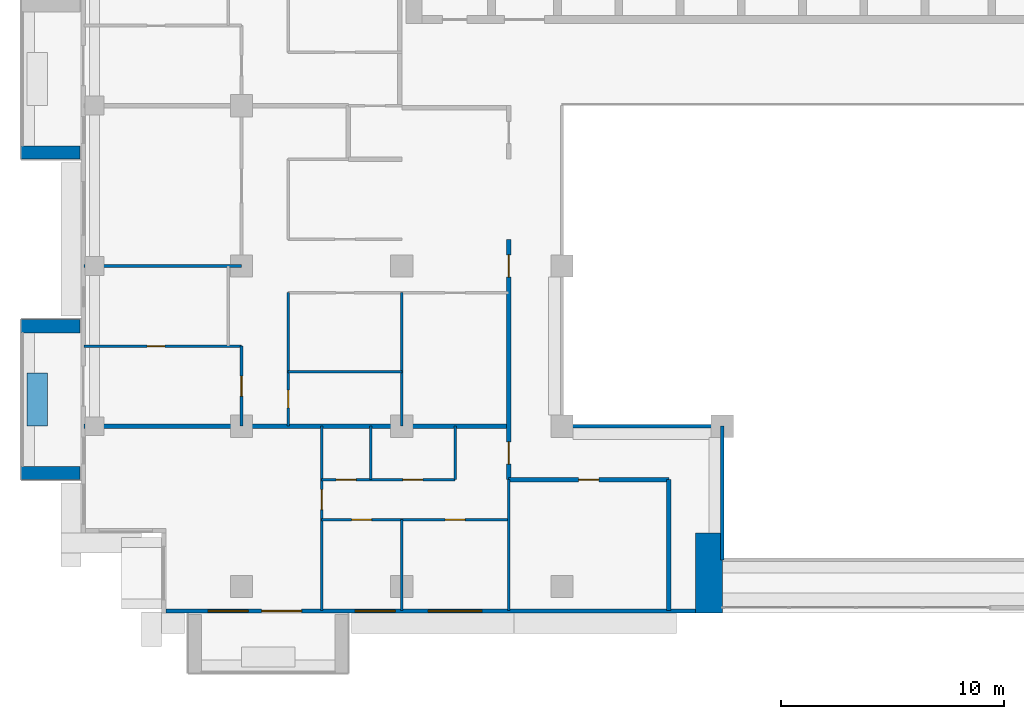
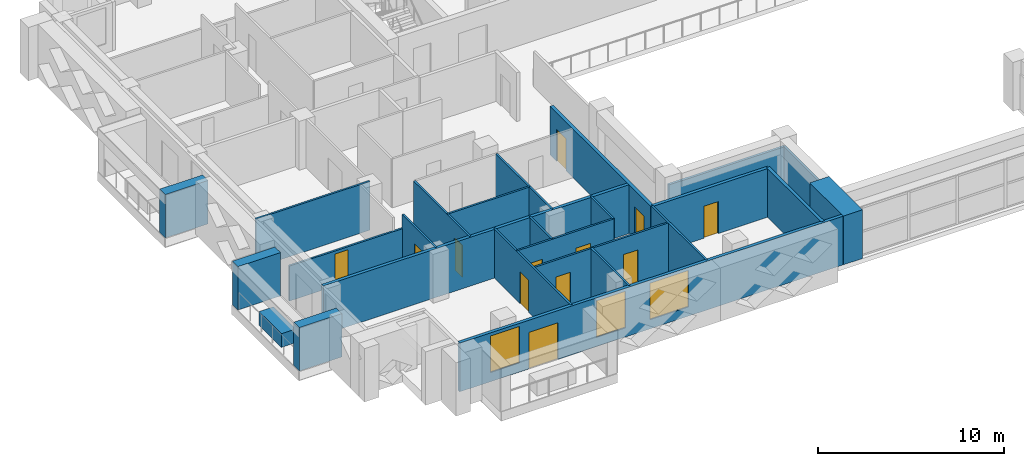
# One storey, part 6 of 20: 25 walls, 12 doors, 3 windows, 15 openings.
"""IFC4 building model written with IfcOpenShell, lengths in metres."""

from ifc_helpers import new_model, si_unit, direction, frame, frame_2d, origin, place, context, subcontext, project, spatial, rectangle, extrude, material, layer, layer_set, type_object, element, fill, save


model = new_model("IFC4")

# Units and contexts
model_context = context("Model", 3, precision=1e-05, world=origin(), true_north=direction((0.0, 1.0)))
body_context = subcontext(model_context, "Body", "Model", "MODEL_VIEW")
ifc_project = project(units=[si_unit("LENGTHUNIT", "METRE"), si_unit("AREAUNIT", "SQUARE_METRE"), si_unit("VOLUMEUNIT", "CUBIC_METRE"), si_unit("PLANEANGLEUNIT", "RADIAN"), si_unit("MASSUNIT", "GRAM", prefix="KILO")], contexts=[model_context])

# Site, building, storey
site_placement = place(None, origin())
site = spatial("IfcSite", under=ifc_project, at=site_placement, CompositionType="ELEMENT")
building_placement = place(site_placement, origin())
building = spatial("IfcBuilding", under=site, at=building_placement, Name="Saffron Iwan Residences", CompositionType="ELEMENT")
storey_placement = place(building_placement, frame((0.0, 0.0, 171.0)))
storey = spatial("IfcBuildingStorey", under=building, at=storey_placement, Name="L45", CompositionType="ELEMENT", Elevation=171.0)

# Walls
ifc_material_1 = material(Name="Fire-rated glazing", Category="glass")
ifc_layer_1 = layer(ifc_material_1, 0.14990234375)
ifc_layer_set_1 = layer_set([ifc_layer_1], Name="Fire-rated glazing")
wall_type_1 = type_object("IfcWallType", Name="Atrium glazed screen 150", PredefinedType="SOLIDWALL", material=ifc_layer_set_1)
wall_1_placement = place(storey_placement, frame((36.0, 48.0, 0.0), z_axis=(0.0, 0.0, 1.0), x_axis=(1.0, 0.0, 0.0)))
element("IfcWall", 1, at=wall_1_placement, inside=storey, type_object=wall_type_1, Name="W-L45-SCREEN-h48-36", PredefinedType="SOLIDWALL", context=body_context, shape_type="SweptSolid", body=[
    extrude(rectangle(XDim=7.199951171875, YDim=0.14990234375, at=frame_2d((3.60009765625, 0.0))), origin(), (0.0, 0.0, 1.0), 2.300048828125),
])
wall_2_placement = place(storey_placement, frame((43.199951171875, 42.0, 0.0), z_axis=(0.0, 0.0, 1.0), x_axis=(0.0, 1.0, 0.0)))
element("IfcWall", 2, at=wall_2_placement, inside=storey, type_object=wall_type_1, Name="W-L45-SCREEN-v43.2-42", PredefinedType="SOLIDWALL", context=body_context, shape_type="SweptSolid", body=[
    extrude(rectangle(XDim=6.0, YDim=0.14990234375, at=frame_2d((3.0, 0.0))), origin(), (0.0, 0.0, 1.0), 2.300048828125),
])
ifc_material_2 = material(Name="Concrete C50/60 white painted", Category="concrete")
ifc_layer_2 = layer(ifc_material_2, 0.60009765625)
ifc_layer_set_2 = layer_set([ifc_layer_2], Name="Concrete C50/60 white painted")
wall_type_2 = type_object("IfcWallType", Name="BALCONY FIN 600", PredefinedType="SOLIDWALL", material=ifc_layer_set_2)
for number, where, z_axis, x_axis, name in (
    (3, (14.35009765625, 60.300048828125, 0.0), (0.0, 0.0, 1.0), (-1.0, 0.0, 0.0), "Balcony fin L45 F8-0b"),
    (4, (14.35009765625, 52.5, 0.0), (0.0, 0.0, 1.0), (-1.0, 0.0, 0.0), "Balcony fin L45 F8-1a"),
    (5, (14.35009765625, 45.89990234375, 0.0), (0.0, 0.0, 1.0), (-1.0, 0.0, 0.0), "Balcony fin L45 F8-1b"),
):
    element("IfcWall", number, at=place(storey_placement, frame(where, z_axis=z_axis, x_axis=x_axis)), inside=storey, type_object=wall_type_2, Name=name, PredefinedType="SOLIDWALL", context=body_context, shape_type="SweptSolid", body=[
        extrude(rectangle(XDim=2.650146484375, YDim=0.60009765625, at=frame_2d((1.3251953125, 0.0))), origin(), (0.0, 0.0, 1.0), 2.85009765625),
    ])
ifc_material_3 = material(Name="Concrete C35/45 white painted", Category="concrete")
ifc_layer_3 = layer(ifc_material_3, 0.14990234375)
ifc_layer_set_3 = layer_set([ifc_layer_3], Name="Concrete C35/45 white painted")
wall_type_3 = type_object("IfcWallType", Name="BALCONY PLANTER", PredefinedType="SOLIDWALL", material=ifc_layer_set_3)
wall_3_placement = place(storey_placement, frame((12.425048828125, 50.39990234375, 0.0), z_axis=(0.0, 0.0, 1.0), x_axis=(0.0, -1.0, 0.0)))
element("IfcWall", 6, at=wall_3_placement, inside=storey, type_object=wall_type_3, Name="PLANTER L45 F8-1", PredefinedType="SOLIDWALL", context=body_context, shape_type="SweptSolid", body=[
    extrude(rectangle(XDim=2.39990234375, YDim=0.89990234375, at=frame_2d((1.199951171875, 0.0))), origin(), (0.0, 0.0, 1.0), 0.89990234375),
])

# Wall, openings, door, windows
ifc_material_4 = material(Name="Concrete C40/50", Category="concrete")
ifc_layer_4 = layer(ifc_material_4, 0.199951171875)
ifc_layer_set_4 = layer_set([ifc_layer_4], Name="Concrete C40/50")
wall_type_4 = type_object("IfcWallType", Name="EXTERNAL WALL 200", PredefinedType="SOLIDWALL", material=ifc_layer_set_4)
wall_4_placement = place(storey_placement, frame((18.199951171875, 39.699951171875, 0.0), z_axis=(0.0, 0.0, 1.0), x_axis=(1.0, 0.0, 0.0)))
wall_4 = element("IfcWall", 7, at=wall_4_placement, inside=storey, type_object=wall_type_4, Name="External wall L45 F11.0", PredefinedType="SOLIDWALL", context=body_context, shape_type="SweptSolid", body=[
    extrude(rectangle(XDim=23.800048828125, YDim=0.199951171875, at=frame_2d((11.89990234375, 0.0))), origin(), (0.0, 0.0, 1.0), 3.199951171875),
])
opening_1_placement = place(wall_4_placement, frame((4.300048828125, 0.0, 0.0)))
opening_1 = element("IfcOpeningElement", 8, at=opening_1_placement, cuts=wall_4, Name="Opening BD1", PredefinedType="OPENING", context=body_context, shape_type="SweptSolid", body=[
    extrude(rectangle(XDim=1.800048828125, YDim=2.39990234375, at=frame_2d((0.89990234375, 1.199951171875))), frame((0.0, 0.10986328125, 0.0), z_axis=(0.0, -1.0, 0.0), x_axis=(1.0, 0.0, 0.0)), (0.0, 0.0, 1.0), 0.219970703125),
])
opening_2_placement = place(wall_4_placement, frame((1.89990234375, 0.0, 0.60009765625)))
opening_2 = element("IfcOpeningElement", 9, at=opening_2_placement, cuts=wall_4, Name="Opening W8", PredefinedType="OPENING", context=body_context, shape_type="SweptSolid", body=[
    extrude(rectangle(XDim=1.800048828125, YDim=2.39990234375, at=frame_2d((0.89990234375, 1.199951171875))), frame((0.0, 0.10986328125, 0.0), z_axis=(0.0, -1.0, 0.0), x_axis=(1.0, 0.0, 0.0)), (0.0, 0.0, 1.0), 0.219970703125),
])
opening_3_placement = place(wall_4_placement, frame((8.5, 0.0, 0.60009765625)))
opening_3 = element("IfcOpeningElement", 10, at=opening_3_placement, cuts=wall_4, Name="Opening W8", PredefinedType="OPENING", context=body_context, shape_type="SweptSolid", body=[
    extrude(rectangle(XDim=1.800048828125, YDim=2.39990234375, at=frame_2d((0.89990234375, 1.199951171875))), frame((0.0, 0.10986328125, 0.0), z_axis=(0.0, -1.0, 0.0), x_axis=(1.0, 0.0, 0.0)), (0.0, 0.0, 1.0), 0.219970703125),
])
opening_4_placement = place(wall_4_placement, frame((11.800048828125, 0.0, 0.60009765625)))
opening_4 = element("IfcOpeningElement", 11, at=opening_4_placement, cuts=wall_4, Name="Opening W1", PredefinedType="OPENING", context=body_context, shape_type="SweptSolid", body=[
    extrude(rectangle(XDim=2.39990234375, YDim=2.39990234375, at=frame_2d((1.199951171875, 1.199951171875))), frame((0.0, 0.10986328125, 0.0), z_axis=(0.0, -1.0, 0.0), x_axis=(1.0, 0.0, 0.0)), (0.0, 0.0, 1.0), 0.219970703125),
])
ifc_material_5 = material(Name="Clear glass, laminated double glazed", Category="glass")
door_type_1 = type_object("IfcDoorType", Name="BALCONY DOOR 1800 x 2400", OperationType="DOUBLE_DOOR_SLIDING", PredefinedType="DOOR", material=ifc_material_5)
door_1_placement = place(opening_1_placement, origin())
door_1 = element("IfcDoor", 12, at=door_1_placement, inside=storey, type_object=door_type_1, Name="Balcony door L45 F11.0", OperationType="DOUBLE_DOOR_SLIDING", OverallHeight=2.39990234375, OverallWidth=1.800048828125, PredefinedType="DOOR", context=body_context, shape_type="SweptSolid", body=[
    extrude(rectangle(XDim=1.800048828125, YDim=2.39990234375, at=frame_2d((0.89990234375, 1.199951171875))), frame((0.0, 0.02490234375, 0.0), z_axis=(0.0, -1.0, 0.0), x_axis=(1.0, 0.0, 0.0)), (0.0, 0.0, 1.0), 0.050048828125),
])
fill(opening_1, door_1)
window_type_1 = type_object("IfcWindowType", Name="WINDOW 1800 x 2400", PartitioningType="DOUBLE_PANEL_VERTICAL", PredefinedType="WINDOW", material=ifc_material_5)
window_1_placement = place(opening_2_placement, origin())
window_1 = element("IfcWindow", 13, at=window_1_placement, inside=storey, type_object=window_type_1, Name="Window L45 F11.1", OverallHeight=2.39990234375, OverallWidth=1.800048828125, PartitioningType="DOUBLE_PANEL_VERTICAL", PredefinedType="WINDOW", context=body_context, shape_type="SweptSolid", body=[
    extrude(rectangle(XDim=1.800048828125, YDim=2.39990234375, at=frame_2d((0.89990234375, 1.199951171875))), frame((0.0, 0.030029296875, 0.0), z_axis=(0.0, -1.0, 0.0), x_axis=(1.0, 0.0, 0.0)), (0.0, 0.0, 1.0), 0.06005859375),
])
fill(opening_2, window_1)
window_2_placement = place(opening_3_placement, origin())
window_2 = element("IfcWindow", 14, at=window_2_placement, inside=storey, type_object=window_type_1, Name="Window L45 F11.2", OverallHeight=2.39990234375, OverallWidth=1.800048828125, PartitioningType="DOUBLE_PANEL_VERTICAL", PredefinedType="WINDOW", context=body_context, shape_type="SweptSolid", body=[
    extrude(rectangle(XDim=1.800048828125, YDim=2.39990234375, at=frame_2d((0.89990234375, 1.199951171875))), frame((0.0, 0.030029296875, 0.0), z_axis=(0.0, -1.0, 0.0), x_axis=(1.0, 0.0, 0.0)), (0.0, 0.0, 1.0), 0.06005859375),
])
fill(opening_3, window_2)
window_type_2 = type_object("IfcWindowType", Name="WINDOW 2400 x 2400", PartitioningType="DOUBLE_PANEL_VERTICAL", PredefinedType="WINDOW", material=ifc_material_5)
window_3_placement = place(opening_4_placement, origin())
window_3 = element("IfcWindow", 15, at=window_3_placement, inside=storey, type_object=window_type_2, Name="Window L45 F11.3", OverallHeight=2.39990234375, OverallWidth=2.39990234375, PartitioningType="DOUBLE_PANEL_VERTICAL", PredefinedType="WINDOW", context=body_context, shape_type="SweptSolid", body=[
    extrude(rectangle(XDim=2.39990234375, YDim=2.39990234375, at=frame_2d((1.199951171875, 1.199951171875))), frame((0.0, 0.030029296875, 0.0), z_axis=(0.0, -1.0, 0.0), x_axis=(1.0, 0.0, 0.0)), (0.0, 0.0, 1.0), 0.06005859375),
])
fill(opening_4, window_3)

# Wall
ifc_material_6 = material(Name="Fire-rated gypsum board wall")
ifc_layer_5 = layer(ifc_material_6, 0.199951171875)
ifc_layer_set_5 = layer_set([ifc_layer_5], Name="Fire-rated gypsum board wall")
wall_type_5 = type_object("IfcWallType", Name="Flat demising wall 200", PredefinedType="SOLIDWALL", material=ifc_layer_set_5)
wall_5_placement = place(storey_placement, frame((14.52490234375, 48.0, 0.0), z_axis=(0.0, 0.0, 1.0), x_axis=(1.0, 0.0, 0.0)))
element("IfcWall", 16, at=wall_5_placement, inside=storey, type_object=wall_type_5, Name="W-L45-DEMISE-h48-14.525", PredefinedType="SOLIDWALL", context=body_context, shape_type="SweptSolid", body=[
    extrude(rectangle(XDim=19.0751953125, YDim=0.199951171875, at=frame_2d((9.53759765625, 0.0))), origin(), (0.0, 0.0, 1.0), 3.199951171875),
])

# Wall, openings, doors
ifc_material_7 = material(Name="Gypsum board partition")
ifc_layer_6 = layer(ifc_material_7, 0.1201171875)
ifc_layer_set_6 = layer_set([ifc_layer_6], Name="Gypsum board partition")
wall_type_6 = type_object("IfcWallType", Name="Flat partition 120", PredefinedType="PARTITIONING", material=ifc_layer_set_6)
wall_6_placement = place(storey_placement, frame((25.199951171875, 43.800048828125, 0.0), z_axis=(0.0, 0.0, 1.0), x_axis=(1.0, 0.0, 0.0)))
wall_6 = element("IfcWall", 17, at=wall_6_placement, inside=storey, type_object=wall_type_6, Name="W-L45-PART-h43.8-25.2", PredefinedType="PARTITIONING", context=body_context, shape_type="SweptSolid", body=[
    extrude(rectangle(XDim=8.400146484375, YDim=0.1201171875, at=frame_2d((4.2001953125, 0.0))), origin(), (0.0, 0.0, 1.0), 3.199951171875),
])
opening_5_placement = place(wall_6_placement, frame((1.35009765625, 0.0, 0.0)))
opening_5 = element("IfcOpeningElement", 18, at=opening_5_placement, cuts=wall_6, Name="Opening FD2", PredefinedType="OPENING", context=body_context, shape_type="SweptSolid", body=[
    extrude(rectangle(XDim=0.89990234375, YDim=2.10009765625, at=frame_2d((0.449951171875, 1.050048828125))), frame((0.0, 0.070068359375, 0.0), z_axis=(0.0, -1.0, 0.0), x_axis=(1.0, 0.0, 0.0)), (0.0, 0.0, 1.0), 0.14013671875),
])
opening_6_placement = place(wall_6_placement, frame((5.550048828125, 0.0, 0.0)))
opening_6 = element("IfcOpeningElement", 19, at=opening_6_placement, cuts=wall_6, Name="Opening FD2", PredefinedType="OPENING", context=body_context, shape_type="SweptSolid", body=[
    extrude(rectangle(XDim=0.89990234375, YDim=2.10009765625, at=frame_2d((0.449951171875, 1.050048828125))), frame((0.0, 0.070068359375, 0.0), z_axis=(0.0, -1.0, 0.0), x_axis=(1.0, 0.0, 0.0)), (0.0, 0.0, 1.0), 0.14013671875),
])
ifc_material_8 = material(Name="Timber door", Category="wood")
door_type_2 = type_object("IfcDoorType", Name="Flat door 900", OperationType="NOTDEFINED", PredefinedType="DOOR", material=ifc_material_8)
door_2_placement = place(opening_5_placement, origin())
door_2 = element("IfcDoor", 20, at=door_2_placement, inside=storey, type_object=door_type_2, Name="Door L45-003", OperationType="SINGLE_SWING_LEFT", OverallHeight=2.10009765625, OverallWidth=0.89990234375, PredefinedType="DOOR", context=body_context, shape_type="SweptSolid", body=[
    extrude(rectangle(XDim=0.89990234375, YDim=2.10009765625, at=frame_2d((0.449951171875, 1.050048828125))), frame((0.0, 0.02490234375, 0.0), z_axis=(0.0, -1.0, 0.0), x_axis=(1.0, 0.0, 0.0)), (0.0, 0.0, 1.0), 0.050048828125),
])
fill(opening_5, door_2)
door_3_placement = place(opening_6_placement, origin())
door_3 = element("IfcDoor", 21, at=door_3_placement, inside=storey, type_object=door_type_2, Name="Door L45-004", OperationType="SINGLE_SWING_RIGHT", OverallHeight=2.10009765625, OverallWidth=0.89990234375, PredefinedType="DOOR", context=body_context, shape_type="SweptSolid", body=[
    extrude(rectangle(XDim=0.89990234375, YDim=2.10009765625, at=frame_2d((0.449951171875, 1.050048828125))), frame((0.0, 0.02490234375, 0.0), z_axis=(0.0, -1.0, 0.0), x_axis=(1.0, 0.0, 0.0)), (0.0, 0.0, 1.0), 0.050048828125),
])
fill(opening_6, door_3)

wall_7_placement = place(storey_placement, frame((25.199951171875, 45.60009765625, 0.0), z_axis=(0.0, 0.0, 1.0), x_axis=(1.0, 0.0, 0.0)))
wall_7 = element("IfcWall", 22, at=wall_7_placement, inside=storey, type_object=wall_type_6, Name="W-L45-PART-h45.6-25.2", PredefinedType="PARTITIONING", context=body_context, shape_type="SweptSolid", body=[
    extrude(rectangle(XDim=6.0, YDim=0.1201171875, at=frame_2d((3.0, 0.0))), origin(), (0.0, 0.0, 1.0), 3.199951171875),
])
opening_7_placement = place(wall_7_placement, frame((0.64990234375, 0.0, 0.0)))
opening_7 = element("IfcOpeningElement", 23, at=opening_7_placement, cuts=wall_7, Name="Opening FD2", PredefinedType="OPENING", context=body_context, shape_type="SweptSolid", body=[
    extrude(rectangle(XDim=0.89990234375, YDim=2.10009765625, at=frame_2d((0.449951171875, 1.050048828125))), frame((0.0, 0.070068359375, 0.0), z_axis=(0.0, -1.0, 0.0), x_axis=(1.0, 0.0, 0.0)), (0.0, 0.0, 1.0), 0.14013671875),
])
opening_8_placement = place(wall_7_placement, frame((3.64990234375, 0.0, 0.0)))
opening_8 = element("IfcOpeningElement", 24, at=opening_8_placement, cuts=wall_7, Name="Opening FD2", PredefinedType="OPENING", context=body_context, shape_type="SweptSolid", body=[
    extrude(rectangle(XDim=0.89990234375, YDim=2.10009765625, at=frame_2d((0.449951171875, 1.050048828125))), frame((0.0, 0.070068359375, 0.0), z_axis=(0.0, -1.0, 0.0), x_axis=(1.0, 0.0, 0.0)), (0.0, 0.0, 1.0), 0.14013671875),
])
door_4_placement = place(opening_7_placement, origin())
door_4 = element("IfcDoor", 25, at=door_4_placement, inside=storey, type_object=door_type_2, Name="Door L45-005", OperationType="SINGLE_SWING_LEFT", OverallHeight=2.10009765625, OverallWidth=0.89990234375, PredefinedType="DOOR", context=body_context, shape_type="SweptSolid", body=[
    extrude(rectangle(XDim=0.89990234375, YDim=2.10009765625, at=frame_2d((0.449951171875, 1.050048828125))), frame((0.0, 0.02490234375, 0.0), z_axis=(0.0, -1.0, 0.0), x_axis=(1.0, 0.0, 0.0)), (0.0, 0.0, 1.0), 0.050048828125),
])
fill(opening_7, door_4)
door_5_placement = place(opening_8_placement, origin())
door_5 = element("IfcDoor", 26, at=door_5_placement, inside=storey, type_object=door_type_2, Name="Door L45-006", OperationType="SINGLE_SWING_LEFT", OverallHeight=2.10009765625, OverallWidth=0.89990234375, PredefinedType="DOOR", context=body_context, shape_type="SweptSolid", body=[
    extrude(rectangle(XDim=0.89990234375, YDim=2.10009765625, at=frame_2d((0.449951171875, 1.050048828125))), frame((0.0, 0.02490234375, 0.0), z_axis=(0.0, -1.0, 0.0), x_axis=(1.0, 0.0, 0.0)), (0.0, 0.0, 1.0), 0.050048828125),
])
fill(opening_8, door_5)

# Wall
wall_8_placement = place(storey_placement, frame((23.699951171875, 50.449951171875, 0.0), z_axis=(0.0, 0.0, 1.0), x_axis=(1.0, 0.0, 0.0)))
element("IfcWall", 27, at=wall_8_placement, inside=storey, type_object=wall_type_6, Name="W-L45-PART-h50.45-23.7", PredefinedType="PARTITIONING", context=body_context, shape_type="SweptSolid", body=[
    extrude(rectangle(XDim=5.10009765625, YDim=0.1201171875, at=frame_2d((2.550048828125, 0.0))), origin(), (0.0, 0.0, 1.0), 3.199951171875),
])

# Wall, opening, door
wall_9_placement = place(storey_placement, frame((14.52490234375, 51.60009765625, 0.0), z_axis=(0.0, 0.0, 1.0), x_axis=(1.0, 0.0, 0.0)))
wall_9 = element("IfcWall", 28, at=wall_9_placement, inside=storey, type_object=wall_type_6, Name="W-L45-PART-h51.6-14.525", PredefinedType="PARTITIONING", context=body_context, shape_type="SweptSolid", body=[
    extrude(rectangle(XDim=7.0751953125, YDim=0.1201171875, at=frame_2d((3.53759765625, 0.0))), origin(), (0.0, 0.0, 1.0), 2.300048828125),
])
opening_9_placement = place(wall_9_placement, frame((2.83740234375, 0.0, 0.0)))
opening_9 = element("IfcOpeningElement", 29, at=opening_9_placement, cuts=wall_9, Name="Opening FD3", PredefinedType="OPENING", context=body_context, shape_type="SweptSolid", body=[
    extrude(rectangle(XDim=0.800048828125, YDim=2.10009765625, at=frame_2d((0.39990234375, 1.050048828125))), frame((0.0, 0.070068359375, 0.0), z_axis=(0.0, -1.0, 0.0), x_axis=(1.0, 0.0, 0.0)), (0.0, 0.0, 1.0), 0.14013671875),
])
door_type_3 = type_object("IfcDoorType", Name="Bathroom door 800", OperationType="NOTDEFINED", PredefinedType="DOOR", material=ifc_material_8)
door_6_placement = place(opening_9_placement, origin())
door_6 = element("IfcDoor", 30, at=door_6_placement, inside=storey, type_object=door_type_3, Name="Door L45-010", OperationType="SINGLE_SWING_RIGHT", OverallHeight=2.10009765625, OverallWidth=0.800048828125, PredefinedType="DOOR", context=body_context, shape_type="SweptSolid", body=[
    extrude(rectangle(XDim=0.800048828125, YDim=2.10009765625, at=frame_2d((0.39990234375, 1.050048828125))), frame((0.0, 0.02490234375, 0.0), z_axis=(0.0, -1.0, 0.0), x_axis=(1.0, 0.0, 0.0)), (0.0, 0.0, 1.0), 0.050048828125),
])
fill(opening_9, door_6)

# Wall
wall_10_placement = place(storey_placement, frame((14.52490234375, 55.199951171875, 0.0), z_axis=(0.0, 0.0, 1.0), x_axis=(1.0, 0.0, 0.0)))
element("IfcWall", 31, at=wall_10_placement, inside=storey, type_object=wall_type_6, Name="W-L45-PART-h55.2-14.525", PredefinedType="PARTITIONING", context=body_context, shape_type="SweptSolid", body=[
    extrude(rectangle(XDim=7.0751953125, YDim=0.1201171875, at=frame_2d((3.53759765625, 0.0))), origin(), (0.0, 0.0, 1.0), 3.199951171875),
])

# Wall, opening, door
wall_11_placement = place(storey_placement, frame((21.60009765625, 48.0, 0.0), z_axis=(0.0, 0.0, 1.0), x_axis=(0.0, 1.0, 0.0)))
wall_11 = element("IfcWall", 32, at=wall_11_placement, inside=storey, type_object=wall_type_6, Name="W-L45-PART-v21.6-48", PredefinedType="PARTITIONING", context=body_context, shape_type="SweptSolid", body=[
    extrude(rectangle(XDim=3.60009765625, YDim=0.1201171875, at=frame_2d((1.800048828125, 0.0))), origin(), (0.0, 0.0, 1.0), 3.199951171875),
])
opening_10_placement = place(wall_11_placement, frame((1.35009765625, 0.0, 0.0)))
opening_10 = element("IfcOpeningElement", 33, at=opening_10_placement, cuts=wall_11, Name="Opening FD2", PredefinedType="OPENING", context=body_context, shape_type="SweptSolid", body=[
    extrude(rectangle(XDim=0.89990234375, YDim=2.10009765625, at=frame_2d((0.449951171875, 1.050048828125))), frame((0.0, 0.070068359375, 0.0), z_axis=(0.0, -1.0, 0.0), x_axis=(1.0, 0.0, 0.0)), (0.0, 0.0, 1.0), 0.14013671875),
])
door_7_placement = place(opening_10_placement, origin())
door_7 = element("IfcDoor", 34, at=door_7_placement, inside=storey, type_object=door_type_2, Name="Door L45-009", OperationType="SINGLE_SWING_LEFT", OverallHeight=2.10009765625, OverallWidth=0.89990234375, PredefinedType="DOOR", context=body_context, shape_type="SweptSolid", body=[
    extrude(rectangle(XDim=0.89990234375, YDim=2.10009765625, at=frame_2d((0.449951171875, 1.050048828125))), frame((0.0, 0.02490234375, 0.0), z_axis=(0.0, -1.0, 0.0), x_axis=(1.0, 0.0, 0.0)), (0.0, 0.0, 1.0), 0.050048828125),
])
fill(opening_10, door_7)

wall_12_placement = place(storey_placement, frame((23.699951171875, 48.0, 0.0), z_axis=(0.0, 0.0, 1.0), x_axis=(0.0, 1.0, 0.0)))
wall_12 = element("IfcWall", 35, at=wall_12_placement, inside=storey, type_object=wall_type_6, Name="W-L45-PART-v23.7-48", PredefinedType="PARTITIONING", context=body_context, shape_type="SweptSolid", body=[
    extrude(rectangle(XDim=6.0, YDim=0.1201171875, at=frame_2d((3.0, 0.0))), origin(), (0.0, 0.0, 1.0), 3.199951171875),
])
opening_11_placement = place(wall_12_placement, frame((0.824951171875, 0.0, 0.0)))
opening_11 = element("IfcOpeningElement", 36, at=opening_11_placement, cuts=wall_12, Name="Opening FD3", PredefinedType="OPENING", context=body_context, shape_type="SweptSolid", body=[
    extrude(rectangle(XDim=0.800048828125, YDim=2.10009765625, at=frame_2d((0.39990234375, 1.050048828125))), frame((0.0, 0.070068359375, 0.0), z_axis=(0.0, -1.0, 0.0), x_axis=(1.0, 0.0, 0.0)), (0.0, 0.0, 1.0), 0.14013671875),
])
door_8_placement = place(opening_11_placement, origin())
door_8 = element("IfcDoor", 37, at=door_8_placement, inside=storey, type_object=door_type_3, Name="Door L45-012", OperationType="SINGLE_SWING_LEFT", OverallHeight=2.10009765625, OverallWidth=0.800048828125, PredefinedType="DOOR", context=body_context, shape_type="SweptSolid", body=[
    extrude(rectangle(XDim=0.800048828125, YDim=2.10009765625, at=frame_2d((0.39990234375, 1.050048828125))), frame((0.0, 0.02490234375, 0.0), z_axis=(0.0, -1.0, 0.0), x_axis=(1.0, 0.0, 0.0)), (0.0, 0.0, 1.0), 0.050048828125),
])
fill(opening_11, door_8)

wall_13_placement = place(storey_placement, frame((25.199951171875, 39.72509765625, 0.0), z_axis=(0.0, 0.0, 1.0), x_axis=(0.0, 1.0, 0.0)))
wall_13 = element("IfcWall", 38, at=wall_13_placement, inside=storey, type_object=wall_type_6, Name="W-L45-PART-v25.2-39.725", PredefinedType="PARTITIONING", context=body_context, shape_type="SweptSolid", body=[
    extrude(rectangle(XDim=8.27490234375, YDim=0.1201171875, at=frame_2d((4.137451171875, 0.0))), origin(), (0.0, 0.0, 1.0), 3.199951171875),
])
opening_12_placement = place(wall_13_placement, frame((4.52490234375, 0.0, 0.0)))
opening_12 = element("IfcOpeningElement", 39, at=opening_12_placement, cuts=wall_13, Name="Opening FD2", PredefinedType="OPENING", context=body_context, shape_type="SweptSolid", body=[
    extrude(rectangle(XDim=0.89990234375, YDim=2.10009765625, at=frame_2d((0.449951171875, 1.050048828125))), frame((0.0, 0.070068359375, 0.0), z_axis=(0.0, -1.0, 0.0), x_axis=(1.0, 0.0, 0.0)), (0.0, 0.0, 1.0), 0.14013671875),
])
door_9_placement = place(opening_12_placement, origin())
door_9 = element("IfcDoor", 40, at=door_9_placement, inside=storey, type_object=door_type_2, Name="Door L45-002", OperationType="SINGLE_SWING_LEFT", OverallHeight=2.10009765625, OverallWidth=0.89990234375, PredefinedType="DOOR", context=body_context, shape_type="SweptSolid", body=[
    extrude(rectangle(XDim=0.89990234375, YDim=2.10009765625, at=frame_2d((0.449951171875, 1.050048828125))), frame((0.0, 0.02490234375, 0.0), z_axis=(0.0, -1.0, 0.0), x_axis=(1.0, 0.0, 0.0)), (0.0, 0.0, 1.0), 0.050048828125),
])
fill(opening_12, door_9)

# Walls
wall_14_placement = place(storey_placement, frame((27.39990234375, 45.60009765625, 0.0), z_axis=(0.0, 0.0, 1.0), x_axis=(0.0, 1.0, 0.0)))
element("IfcWall", 41, at=wall_14_placement, inside=storey, type_object=wall_type_6, Name="W-L45-PART-v27.4-45.6", PredefinedType="PARTITIONING", context=body_context, shape_type="SweptSolid", body=[
    extrude(rectangle(XDim=2.39990234375, YDim=0.1201171875, at=frame_2d((1.199951171875, 0.0))), origin(), (0.0, 0.0, 1.0), 3.199951171875),
])
wall_15_placement = place(storey_placement, frame((28.800048828125, 39.72509765625, 0.0), z_axis=(0.0, 0.0, 1.0), x_axis=(0.0, 1.0, 0.0)))
element("IfcWall", 42, at=wall_15_placement, inside=storey, type_object=wall_type_6, Name="W-L45-PART-v28.8-39.725", PredefinedType="PARTITIONING", context=body_context, shape_type="SweptSolid", body=[
    extrude(rectangle(XDim=4.074951171875, YDim=0.1201171875, at=frame_2d((2.03759765625, 0.0))), origin(), (0.0, 0.0, 1.0), 3.199951171875),
])
wall_16_placement = place(storey_placement, frame((28.800048828125, 48.0, 0.0), z_axis=(0.0, 0.0, 1.0), x_axis=(0.0, 1.0, 0.0)))
element("IfcWall", 43, at=wall_16_placement, inside=storey, type_object=wall_type_6, Name="W-L45-PART-v28.8-48", PredefinedType="PARTITIONING", context=body_context, shape_type="SweptSolid", body=[
    extrude(rectangle(XDim=6.0, YDim=0.1201171875, at=frame_2d((3.0, 0.0))), origin(), (0.0, 0.0, 1.0), 3.199951171875),
])
wall_17_placement = place(storey_placement, frame((31.199951171875, 45.60009765625, 0.0), z_axis=(0.0, 0.0, 1.0), x_axis=(0.0, 1.0, 0.0)))
element("IfcWall", 44, at=wall_17_placement, inside=storey, type_object=wall_type_6, Name="W-L45-PART-v31.2-45.6", PredefinedType="PARTITIONING", context=body_context, shape_type="SweptSolid", body=[
    extrude(rectangle(XDim=2.39990234375, YDim=0.1201171875, at=frame_2d((1.199951171875, 0.0))), origin(), (0.0, 0.0, 1.0), 3.199951171875),
])
wall_18_placement = place(storey_placement, frame((33.60009765625, 39.72509765625, 0.0), z_axis=(0.0, 0.0, 1.0), x_axis=(0.0, 1.0, 0.0)))
element("IfcWall", 45, at=wall_18_placement, inside=storey, type_object=wall_type_6, Name="W-L45-PART-v33.6-39.725", PredefinedType="PARTITIONING", context=body_context, shape_type="SweptSolid", body=[
    extrude(rectangle(XDim=5.875, YDim=0.1201171875, at=frame_2d((2.9375, 0.0))), origin(), (0.0, 0.0, 1.0), 3.199951171875),
])

# Wall, opening, door
ifc_layer_7 = layer(ifc_material_6, 0.199951171875)
ifc_layer_set_7 = layer_set([ifc_layer_7], Name="Fire-rated gypsum board wall")
wall_type_7 = type_object("IfcWallType", Name="Gallery wall 200", PredefinedType="SOLIDWALL", material=ifc_layer_set_7)
wall_19_placement = place(storey_placement, frame((33.60009765625, 45.60009765625, 0.0), z_axis=(0.0, 0.0, 1.0), x_axis=(1.0, 0.0, 0.0)))
wall_19 = element("IfcWall", 46, at=wall_19_placement, inside=storey, type_object=wall_type_7, Name="W-L45-CORR-h45.6-33.6", PredefinedType="SOLIDWALL", context=body_context, shape_type="SweptSolid", body=[
    extrude(rectangle(XDim=7.199951171875, YDim=0.199951171875, at=frame_2d((3.60009765625, 0.0))), origin(), (0.0, 0.0, 1.0), 3.199951171875),
])
opening_13_placement = place(wall_19_placement, frame((3.14990234375, 0.0, 0.0)))
opening_13 = element("IfcOpeningElement", 47, at=opening_13_placement, cuts=wall_19, Name="Opening FD2", PredefinedType="OPENING", context=body_context, shape_type="SweptSolid", body=[
    extrude(rectangle(XDim=0.89990234375, YDim=2.10009765625, at=frame_2d((0.449951171875, 1.050048828125))), frame((0.0, 0.10986328125, 0.0), z_axis=(0.0, -1.0, 0.0), x_axis=(1.0, 0.0, 0.0)), (0.0, 0.0, 1.0), 0.219970703125),
])
door_10_placement = place(opening_13_placement, origin())
door_10 = element("IfcDoor", 48, at=door_10_placement, inside=storey, type_object=door_type_2, Name="Door L45-007", OperationType="SINGLE_SWING_RIGHT", OverallHeight=2.10009765625, OverallWidth=0.89990234375, PredefinedType="DOOR", context=body_context, shape_type="SweptSolid", body=[
    extrude(rectangle(XDim=0.89990234375, YDim=2.10009765625, at=frame_2d((0.449951171875, 1.050048828125))), frame((0.0, 0.02490234375, 0.0), z_axis=(0.0, -1.0, 0.0), x_axis=(1.0, 0.0, 0.0)), (0.0, 0.0, 1.0), 0.050048828125),
])
fill(opening_13, door_10)

# Wall, openings, doors
wall_20_placement = place(storey_placement, frame((33.60009765625, 45.60009765625, 0.0), z_axis=(0.0, 0.0, 1.0), x_axis=(0.0, 1.0, 0.0)))
wall_20 = element("IfcWall", 49, at=wall_20_placement, inside=storey, type_object=wall_type_7, Name="W-L45-CORR-v33.6-45.6", PredefinedType="SOLIDWALL", context=body_context, shape_type="SweptSolid", body=[
    extrude(rectangle(XDim=10.7998046875, YDim=0.199951171875, at=frame_2d((5.39990234375, 0.0))), origin(), (0.0, 0.0, 1.0), 3.199951171875),
])
opening_14_placement = place(wall_20_placement, frame((0.699951171875, 0.0, 0.0)))
opening_14 = element("IfcOpeningElement", 50, at=opening_14_placement, cuts=wall_20, Name="Opening FD1", PredefinedType="OPENING", context=body_context, shape_type="SweptSolid", body=[
    extrude(rectangle(XDim=1.0, YDim=2.10009765625, at=frame_2d((0.5, 1.050048828125))), frame((0.0, 0.10986328125, 0.0), z_axis=(0.0, -1.0, 0.0), x_axis=(1.0, 0.0, 0.0)), (0.0, 0.0, 1.0), 0.219970703125),
])
opening_15_placement = place(wall_20_placement, frame((9.10009765625, 0.0, 0.0)))
opening_15 = element("IfcOpeningElement", 51, at=opening_15_placement, cuts=wall_20, Name="Opening FD1", PredefinedType="OPENING", context=body_context, shape_type="SweptSolid", body=[
    extrude(rectangle(XDim=1.0, YDim=2.10009765625, at=frame_2d((0.5, 1.050048828125))), frame((0.0, 0.10986328125, 0.0), z_axis=(0.0, -1.0, 0.0), x_axis=(1.0, 0.0, 0.0)), (0.0, 0.0, 1.0), 0.219970703125),
])
ifc_material_9 = material(Name="Fire-rated timber door", Category="wood")
door_type_4 = type_object("IfcDoorType", Name="FD30S flat entrance door 1000", OperationType="NOTDEFINED", PredefinedType="DOOR", material=ifc_material_9)
door_11_placement = place(opening_14_placement, origin())
door_11 = element("IfcDoor", 52, at=door_11_placement, inside=storey, type_object=door_type_4, Name="Door L45-001", OperationType="SINGLE_SWING_RIGHT", OverallHeight=2.10009765625, OverallWidth=1.0, PredefinedType="DOOR", context=body_context, shape_type="SweptSolid", body=[
    extrude(rectangle(XDim=1.0, YDim=2.10009765625, at=frame_2d((0.5, 1.050048828125))), frame((0.0, 0.02490234375, 0.0), z_axis=(0.0, -1.0, 0.0), x_axis=(1.0, 0.0, 0.0)), (0.0, 0.0, 1.0), 0.050048828125),
])
fill(opening_14, door_11)
door_12_placement = place(opening_15_placement, origin())
door_12 = element("IfcDoor", 53, at=door_12_placement, inside=storey, type_object=door_type_4, Name="Door L45-008", OperationType="SINGLE_SWING_LEFT", OverallHeight=2.10009765625, OverallWidth=1.0, PredefinedType="DOOR", context=body_context, shape_type="SweptSolid", body=[
    extrude(rectangle(XDim=1.0, YDim=2.10009765625, at=frame_2d((0.5, 1.050048828125))), frame((0.0, 0.02490234375, 0.0), z_axis=(0.0, -1.0, 0.0), x_axis=(1.0, 0.0, 0.0)), (0.0, 0.0, 1.0), 0.050048828125),
])
fill(opening_15, door_12)

# Walls
wall_21_placement = place(storey_placement, frame((40.800048828125, 39.72509765625, 0.0), z_axis=(0.0, 0.0, 1.0), x_axis=(0.0, 1.0, 0.0)))
element("IfcWall", 54, at=wall_21_placement, inside=storey, type_object=wall_type_7, Name="W-L45-CORR-v40.8-39.725", PredefinedType="SOLIDWALL", context=body_context, shape_type="SweptSolid", body=[
    extrude(rectangle(XDim=5.875, YDim=0.199951171875, at=frame_2d((2.9375, 0.0))), origin(), (0.0, 0.0, 1.0), 3.199951171875),
])
ifc_material_10 = material(Name="Concrete C50/60", Category="concrete")
ifc_layer_8 = layer(ifc_material_10, 1.199951171875)
ifc_layer_set_8 = layer_set([ifc_layer_8], Name="Concrete C50/60")
wall_type_8 = type_object("IfcWallType", Name="WALL IWAN PIER 1200 C50/60 3200 HIGH", PredefinedType="SHEAR", material=ifc_layer_set_8)
wall_22_placement = place(storey_placement, frame((42.60009765625, 39.60009765625, 0.0), z_axis=(0.0, 0.0, 1.0), x_axis=(0.0, 1.0, 0.0)))
element("IfcWall", 55, at=wall_22_placement, inside=storey, type_object=wall_type_8, Name="IWAN PIER", PredefinedType="SHEAR", context=body_context, shape_type="SweptSolid", body=[
    extrude(rectangle(XDim=3.599853515625, YDim=1.199951171875, at=frame_2d((1.7998046875, 0.0))), origin(), (0.0, 0.0, 1.0), 3.199951171875),
])

save(model, "model.ifc")
